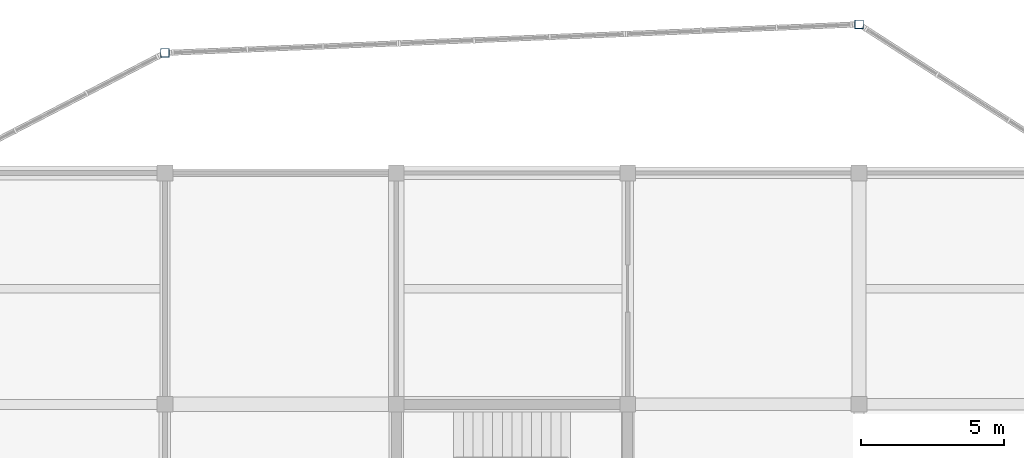
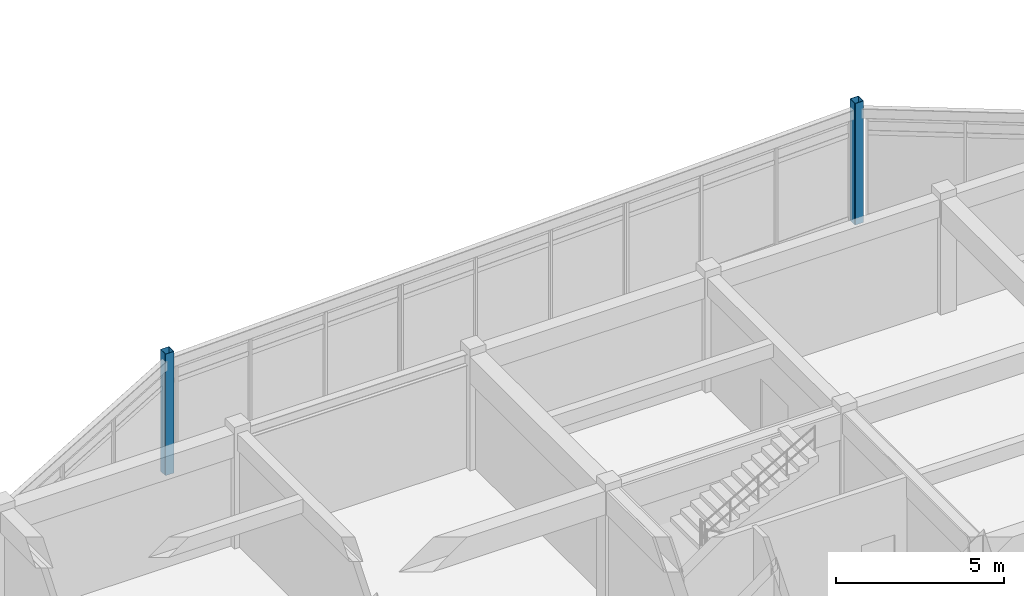
# One storey, part 6 of 42: 2 columns.
"""IFC4 building model written with IfcOpenShell, lengths in metres."""

import ifcopenshell
import ifcopenshell.guid

model = None  # the IFC model being written
_history = None  # IfcOwnerHistory: only IFC2X3 demands one
_inside = {}  # id of a spatial element -> (the spatial element, [elements in it])
_under = {}  # id of a project, library or spatial element -> (it, [spatial elements below it])
_declared = {}  # id of a project -> (the project, [libraries it declares])
_typed = {}  # id of a type object -> (the type object, [elements of that type])
_made_of = {}  # id of a material, layer set ... -> (it, [elements and type objects made of it])


def new_model(schema):
    """Start an empty IFC model of exactly this schema.

    Asked for "IFC4X3", IfcOpenShell would pick the latest addendum, in which some entities
    have other attributes; the version numbers below select the first issue.
    IFC2X3 requires an IfcOwnerHistory on every rooted entity: one is made here for all.
    """
    global model, _history
    if schema == "IFC4X3":
        model = ifcopenshell.file(schema_version=(4, 3, 0, 0))
    else:
        model = ifcopenshell.file(schema=schema)
    _inside.clear()
    _under.clear()
    _declared.clear()
    _typed.clear()
    _made_of.clear()
    _history = None
    if model.schema == "IFC2X3":
        org = make("IfcOrganization", Name="unknown")
        user = make(
            "IfcPersonAndOrganization",
            ThePerson=make("IfcPerson", FamilyName="unknown"),
            TheOrganization=org,
        )
        app = make(
            "IfcApplication",
            ApplicationDeveloper=org,
            Version="unknown",
            ApplicationFullName="unknown",
            ApplicationIdentifier="unknown",
        )
        _history = make(
            "IfcOwnerHistory",
            OwningUser=user,
            OwningApplication=app,
            ChangeAction="ADDED",
            CreationDate=0,
        )
    return model


def make(cls, **values):
    """One entity of the class cls with the attributes given. An attribute that is None is left unset."""
    return model.create_entity(
        cls, **{name: value for name, value in values.items() if value is not None}
    )


def rooted(cls, **values):
    """An entity with a GlobalId (a new one), such as an element, a storey or a relation."""
    return make(cls, GlobalId=ifcopenshell.guid.new(), OwnerHistory=_history, **values)


def si_unit(unit_type, name, prefix=None):
    """IfcSIUnit, for example si_unit("LENGTHUNIT", "METRE", prefix="MILLI")."""
    return make("IfcSIUnit", UnitType=unit_type, Prefix=prefix, Name=name)


def assignment(units):
    """IfcUnitAssignment: the units of a project."""
    return None if units is None else make("IfcUnitAssignment", Units=units)


def point(xyz):
    """IfcCartesianPoint."""
    return None if xyz is None else make("IfcCartesianPoint", Coordinates=xyz)


def direction(xyz):
    """IfcDirection."""
    return None if xyz is None else make("IfcDirection", DirectionRatios=xyz)


def frame(location, z_axis=None, x_axis=None):
    """IfcAxis2Placement3D, a coordinate frame: its origin and axes. An axis left out is left unset."""
    return make(
        "IfcAxis2Placement3D",
        Location=point(location),
        Axis=direction(z_axis),
        RefDirection=direction(x_axis),
    )


def frame_2d(location, x_axis=None):
    """IfcAxis2Placement2D, a coordinate frame in the plane: its origin and x axis."""
    return make(
        "IfcAxis2Placement2D", Location=point(location), RefDirection=direction(x_axis)
    )


def origin():
    """The frame at (0, 0, 0) with its axes left unset."""
    return frame((0.0, 0.0, 0.0))


def origin_2d():
    """The frame at (0, 0) in the plane with its x axis left unset."""
    return frame_2d((0.0, 0.0))


def place(relative_to, where):
    """IfcLocalPlacement: puts the frame where relative to a parent placement (None: the world)."""
    return make(
        "IfcLocalPlacement", PlacementRelTo=relative_to, RelativePlacement=where
    )


def context(
    kind, dimensions, precision=None, world=None, true_north=None, identifier=None
):
    """IfcGeometricRepresentationContext, for example the 3D "Model" context."""
    return make(
        "IfcGeometricRepresentationContext",
        ContextIdentifier=identifier,
        ContextType=kind,
        CoordinateSpaceDimension=dimensions,
        Precision=precision,
        WorldCoordinateSystem=world,
        TrueNorth=true_north,
    )


def subcontext(parent, identifier, kind, view, scale=None):
    """IfcGeometricRepresentationSubContext, for example "Body" below "Model"."""
    return make(
        "IfcGeometricRepresentationSubContext",
        ContextIdentifier=identifier,
        ContextType=kind,
        ParentContext=parent,
        TargetScale=scale,
        TargetView=view,
    )


def project(units=None, contexts=None):
    """IfcProject with its units and contexts."""
    return rooted(
        "IfcProject",
        Name="project",
        RepresentationContexts=contexts,
        UnitsInContext=assignment(units),
    )


def spatial(cls, under=None, at=None, **own):
    """A site, building, storey or space (cls), placed at a placement, below another one or the project."""
    s = rooted(cls, ObjectPlacement=at, **own)
    if under is not None:
        _under.setdefault(under.id(), (under, []))[1].append(s)
    return s


def profile(cls, at=None, kind="AREA", **sizes):
    """A parametric profile (cls). Its sizes go by their IFC names, for example OverallWidth=200.0."""
    return make(cls, ProfileType=kind, Position=at, **sizes)


def hollow_rectangle(**sizes):
    """IfcRectangleHollowProfileDef."""
    return profile("IfcRectangleHollowProfileDef", **sizes)


def extrude(swept, where, along, depth):
    """IfcExtrudedAreaSolid: the profile swept, set in the frame where, extruded along a direction by depth."""
    return make(
        "IfcExtrudedAreaSolid",
        SweptArea=swept,
        Position=where,
        ExtrudedDirection=direction(along),
        Depth=depth,
    )


def shape(context_of_items, identifier, shape_type, items):
    """IfcShapeRepresentation: the items that make up one representation, for example the "Body"."""
    return make(
        "IfcShapeRepresentation",
        ContextOfItems=context_of_items,
        RepresentationIdentifier=identifier,
        RepresentationType=shape_type,
        Items=items,
    )


def material(Name=None, Category=None):
    """IfcMaterial."""
    return make("IfcMaterial", Name=Name, Category=Category)


def material_profile(
    of_material, cross_section, Name=None, Category=None, Priority=None
):
    """IfcMaterialProfile: a cross section and its material."""
    return make(
        "IfcMaterialProfile",
        Name=Name,
        Material=of_material,
        Profile=cross_section,
        Priority=Priority,
        Category=Category,
    )


def profile_set(profiles, Name=None, composite=None):
    """IfcMaterialProfileSet."""
    return make(
        "IfcMaterialProfileSet",
        Name=Name,
        MaterialProfiles=profiles,
        CompositeProfile=composite,
    )


def made_of(thing, what):
    """Note that an element or type object is made of a material, layer set ...; save() writes the relation."""
    if what is not None:
        _made_of.setdefault(what.id(), (what, []))[1].append(thing)
    return thing


def type_object(cls, material=None, **own):
    """A type object (cls), such as IfcWallType, which elements share."""
    return made_of(rooted(cls, **own), material)


def element(
    cls,
    number,
    at=None,
    inside=None,
    cuts=None,
    type_object=None,
    material=None,
    context=None,
    identifier="Body",
    shape_type=None,
    held_by="IfcProductDefinitionShape",
    body=None,
    shapes=None,
    **own,
):
    """One element of the class cls, such as IfcWall. Its Tag is "e" and its number.

    at: its placement. inside: the storey or other place that contains it. cuts: it is an
    opening in that element (IfcRelVoidsElement). A single representation is given by context,
    identifier, shape_type and body (its items); several are given by shapes. held_by: the class
    of the entity that holds the representations. save() writes the other relations.
    """
    e = rooted(cls, Tag="e%d" % number, ObjectPlacement=at, **own)
    if body is not None:
        shapes = [shape(context, identifier, shape_type, body)]
    if shapes is not None:
        e.Representation = make(held_by, Representations=shapes)
    if inside is not None:
        _inside.setdefault(inside.id(), (inside, []))[1].append(e)
    if cuts is not None:
        rooted(
            "IfcRelVoidsElement", RelatingBuildingElement=cuts, RelatedOpeningElement=e
        )
    if type_object is not None:
        _typed.setdefault(type_object.id(), (type_object, []))[1].append(e)
    return made_of(e, material)


def aggregate(whole, parts):
    """IfcRelAggregates: a whole, such as a stair, and the parts it consists of."""
    return rooted("IfcRelAggregates", RelatingObject=whole, RelatedObjects=parts)


def save(model, path):
    """Write the relations noted so far, then the file.

    IfcRelAggregates (storeys below a building ...), IfcRelContainedInSpatialStructure (elements
    in a storey), IfcRelDefinesByType, IfcRelAssociatesMaterial and IfcRelDeclares: one each for
    every whole, place, type object, material and project.
    """
    for whole, parts in _under.values():
        aggregate(whole, parts)
    for where, things in _inside.values():
        rooted(
            "IfcRelContainedInSpatialStructure",
            RelatedElements=things,
            RelatingStructure=where,
        )
    for kind, things in _typed.values():
        rooted("IfcRelDefinesByType", RelatedObjects=things, RelatingType=kind)
    for what, things in _made_of.values():
        rooted("IfcRelAssociatesMaterial", RelatedObjects=things, RelatingMaterial=what)
    for by, libraries in _declared.values():
        rooted("IfcRelDeclares", RelatingContext=by, RelatedDefinitions=libraries)
    model.write(path)


model = new_model("IFC4")

# Units and contexts
model_context = context("Model", 3, precision=1e-05, world=origin(), true_north=direction((0.0, 1.0)))
body_context = subcontext(model_context, "Body", "Model", "MODEL_VIEW")
ifc_project = project(units=[si_unit("LENGTHUNIT", "METRE"), si_unit("AREAUNIT", "SQUARE_METRE"), si_unit("VOLUMEUNIT", "CUBIC_METRE"), si_unit("PLANEANGLEUNIT", "RADIAN"), si_unit("MASSUNIT", "GRAM", prefix="KILO")], contexts=[model_context])

# Site, building, storey
site_placement = place(None, origin())
site = spatial("IfcSite", under=ifc_project, at=site_placement, CompositionType="ELEMENT")
building_placement = place(site_placement, origin())
building = spatial("IfcBuilding", under=site, at=building_placement, Name="Vaudrelin Polytechnic", CompositionType="ELEMENT")
storey_placement = place(building_placement, frame((0.0, 0.0, 18.530029296875)))
storey = spatial("IfcBuildingStorey", under=building, at=storey_placement, Name="L04", CompositionType="ELEMENT", Elevation=18.530029296875)

# Columns
ifc_material = material(Name="Steel CSA G40.21 350WT", Category="steel")
ifc_material_profile = material_profile(ifc_material, hollow_rectangle(XDim=0.304931640625, YDim=0.304931640625, WallThickness=0.0126953125, InnerFilletRadius=0.0126953125, OuterFilletRadius=0.025390625, at=origin_2d()), Name="HSS305x305x12.7")
ifc_profile_set = profile_set([ifc_material_profile], Name="Steel CSA G40.21 350WT")
column_type = type_object("IfcColumnType", Name="COL-C-HSS305", PredefinedType="COLUMN", material=ifc_profile_set)
for number, where, z_axis, x_axis, name in (
    (1, (72.89990234375, 125.699951171875, 0.0), (0.0, 0.0, 1.0), (1.0, 0.0, 0.0), "Deconstructivist column L04 N_OR2_1"),
    (2, (97.199951171875, 126.699951171875, 0.0), (0.0, 0.0, 1.0), (1.0, 0.0, 0.0), "Deconstructivist column L04 N_OR2_2"),
):
    element("IfcColumn", number, at=place(storey_placement, frame(where, z_axis=z_axis, x_axis=x_axis)), inside=storey, type_object=column_type, Name=name, PredefinedType="COLUMN", context=body_context, shape_type="SweptSolid", body=[
        extrude(hollow_rectangle(XDim=0.304931640625, YDim=0.304931640625, WallThickness=0.0126953125, InnerFilletRadius=0.0126953125, OuterFilletRadius=0.025390625, at=origin_2d()), origin(), (0.0, 0.0, 1.0), 4.419921875),
    ])

save(model, "model.ifc")
